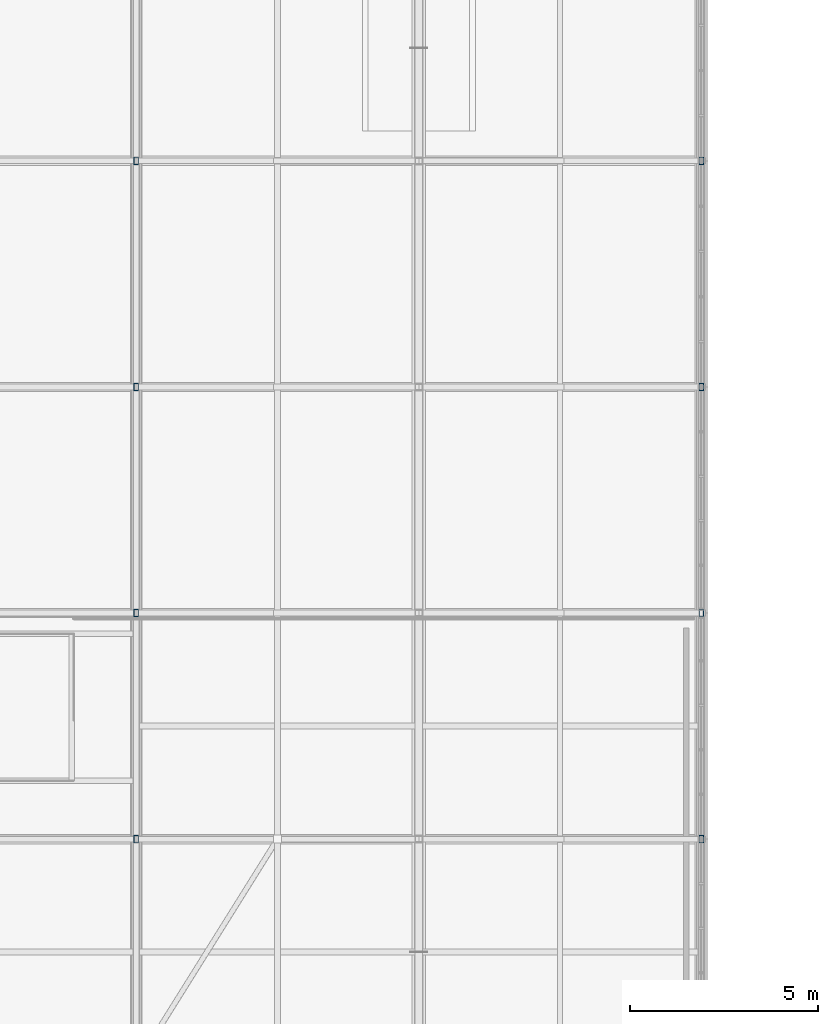
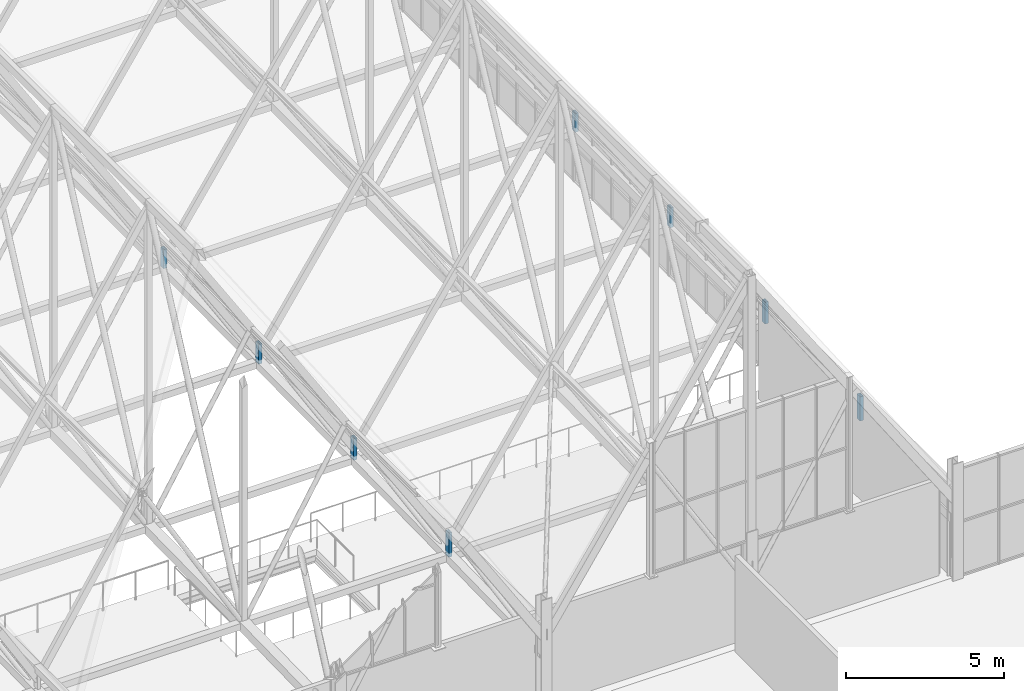
# One storey, part 262 of 324: 8 members.
"""IFC4 building model written with IfcOpenShell, lengths in metres."""

from ifc_helpers import new_model, si_unit, direction, frame, origin, origin_2d, place, context, subcontext, project, spatial, hollow_rectangle, extrude, material, material_profile, profile_set, type_object, element, save


model = new_model("IFC4")

# Units and contexts
model_context = context("Model", 3, precision=1e-05, world=origin(), true_north=direction((0.0, 1.0)))
body_context = subcontext(model_context, "Body", "Model", "MODEL_VIEW")
ifc_project = project(units=[si_unit("LENGTHUNIT", "METRE"), si_unit("AREAUNIT", "SQUARE_METRE"), si_unit("VOLUMEUNIT", "CUBIC_METRE"), si_unit("PLANEANGLEUNIT", "RADIAN"), si_unit("MASSUNIT", "GRAM", prefix="KILO")], contexts=[model_context])

# Site, building, storey
site_placement = place(None, origin())
site = spatial("IfcSite", under=ifc_project, at=site_placement, CompositionType="ELEMENT")
building_placement = place(site_placement, origin())
building = spatial("IfcBuilding", under=site, at=building_placement, Name="Solvenia Promenade Tram Depot", CompositionType="ELEMENT")
storey_placement = place(building_placement, frame((0.0, 0.0, 4.5)))
storey = spatial("IfcBuildingStorey", under=building, at=storey_placement, Name="L01", CompositionType="ELEMENT", Elevation=4.5)

# Members
ifc_material = material(Name="Structural steel ASTM A500 Gr. C", Category="steel")
ifc_material_profile = material_profile(ifc_material, hollow_rectangle(XDim=0.1201171875, YDim=0.199951171875, WallThickness=0.008056640625, at=origin_2d()), Name="HSS200x120x8", Category="steel")
ifc_profile_set = profile_set([ifc_material_profile], Name="Structural steel ASTM A500 Gr. C")
member_type = type_object("IfcMemberType", Name="Post-HSS200x120x8", PredefinedType="POST", material=ifc_profile_set)
member_1_placement = place(storey_placement, frame((135.0, 72.0, 2.446044921875), z_axis=(0.0, 0.0, 1.0), x_axis=(1.0, 0.0, 0.0)))
element("IfcMember", 1, at=member_1_placement, inside=storey, type_object=member_type, Name="Arched Truss T19 Web Post S01", PredefinedType="POST", context=body_context, shape_type="SweptSolid", body=[
    extrude(hollow_rectangle(XDim=0.1201171875, YDim=0.199951171875, WallThickness=0.008056640625, at=origin_2d()), origin(), (0.0, 0.0, 1.0), 0.933837890625),
])
member_2_placement = place(storey_placement, frame((135.0, 78.0, 2.5439453125), z_axis=(0.0, 0.0, 1.0), x_axis=(1.0, 0.0, 0.0)))
element("IfcMember", 2, at=member_2_placement, inside=storey, type_object=member_type, Name="Arched Truss T19 Web Post S02", PredefinedType="POST", context=body_context, shape_type="SweptSolid", body=[
    extrude(hollow_rectangle(XDim=0.1201171875, YDim=0.199951171875, WallThickness=0.008056640625, at=origin_2d()), origin(), (0.0, 0.0, 1.0), 0.8359375),
])
member_3_placement = place(storey_placement, frame((135.0, 84.0, 2.614013671875), z_axis=(0.0, 0.0, 1.0), x_axis=(1.0, 0.0, 0.0)))
element("IfcMember", 3, at=member_3_placement, inside=storey, type_object=member_type, Name="Arched Truss T19 Web Post S03", PredefinedType="POST", context=body_context, shape_type="SweptSolid", body=[
    extrude(hollow_rectangle(XDim=0.1201171875, YDim=0.199951171875, WallThickness=0.008056640625, at=origin_2d()), origin(), (0.0, 0.0, 1.0), 0.765869140625),
])
member_4_placement = place(storey_placement, frame((135.0, 90.0, 2.656005859375), z_axis=(0.0, 0.0, 1.0), x_axis=(1.0, 0.0, 0.0)))
element("IfcMember", 4, at=member_4_placement, inside=storey, type_object=member_type, Name="Arched Truss T19 Web Post S04", PredefinedType="POST", context=body_context, shape_type="SweptSolid", body=[
    extrude(hollow_rectangle(XDim=0.1201171875, YDim=0.199951171875, WallThickness=0.008056640625, at=origin_2d()), origin(), (0.0, 0.0, 1.0), 0.723876953125),
])
member_5_placement = place(storey_placement, frame((150.0, 72.0, 2.446044921875), z_axis=(0.0, 0.0, 1.0), x_axis=(1.0, 0.0, 0.0)))
element("IfcMember", 5, at=member_5_placement, inside=storey, type_object=member_type, Name="Arched Truss T21 Web Post S01", PredefinedType="POST", context=body_context, shape_type="SweptSolid", body=[
    extrude(hollow_rectangle(XDim=0.1201171875, YDim=0.199951171875, WallThickness=0.008056640625, at=origin_2d()), origin(), (0.0, 0.0, 1.0), 0.933837890625),
])
member_6_placement = place(storey_placement, frame((150.0, 78.0, 2.5439453125), z_axis=(0.0, 0.0, 1.0), x_axis=(1.0, 0.0, 0.0)))
element("IfcMember", 6, at=member_6_placement, inside=storey, type_object=member_type, Name="Arched Truss T21 Web Post S02", PredefinedType="POST", context=body_context, shape_type="SweptSolid", body=[
    extrude(hollow_rectangle(XDim=0.1201171875, YDim=0.199951171875, WallThickness=0.008056640625, at=origin_2d()), origin(), (0.0, 0.0, 1.0), 0.8359375),
])
member_7_placement = place(storey_placement, frame((150.0, 84.0, 2.614013671875), z_axis=(0.0, 0.0, 1.0), x_axis=(1.0, 0.0, 0.0)))
element("IfcMember", 7, at=member_7_placement, inside=storey, type_object=member_type, Name="Arched Truss T21 Web Post S03", PredefinedType="POST", context=body_context, shape_type="SweptSolid", body=[
    extrude(hollow_rectangle(XDim=0.1201171875, YDim=0.199951171875, WallThickness=0.008056640625, at=origin_2d()), origin(), (0.0, 0.0, 1.0), 0.765869140625),
])
member_8_placement = place(storey_placement, frame((150.0, 90.0, 2.656005859375), z_axis=(0.0, 0.0, 1.0), x_axis=(1.0, 0.0, 0.0)))
element("IfcMember", 8, at=member_8_placement, inside=storey, type_object=member_type, Name="Arched Truss T21 Web Post S04", PredefinedType="POST", context=body_context, shape_type="SweptSolid", body=[
    extrude(hollow_rectangle(XDim=0.1201171875, YDim=0.199951171875, WallThickness=0.008056640625, at=origin_2d()), origin(), (0.0, 0.0, 1.0), 0.723876953125),
])

save(model, "model.ifc")
